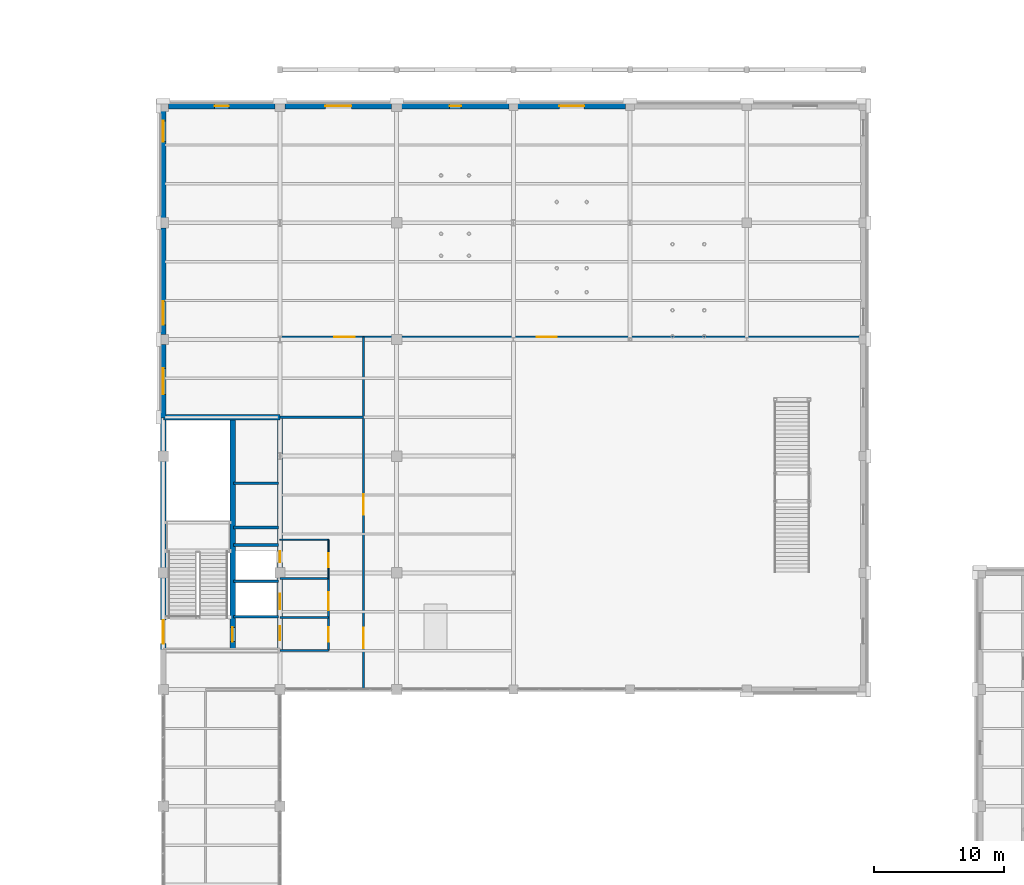
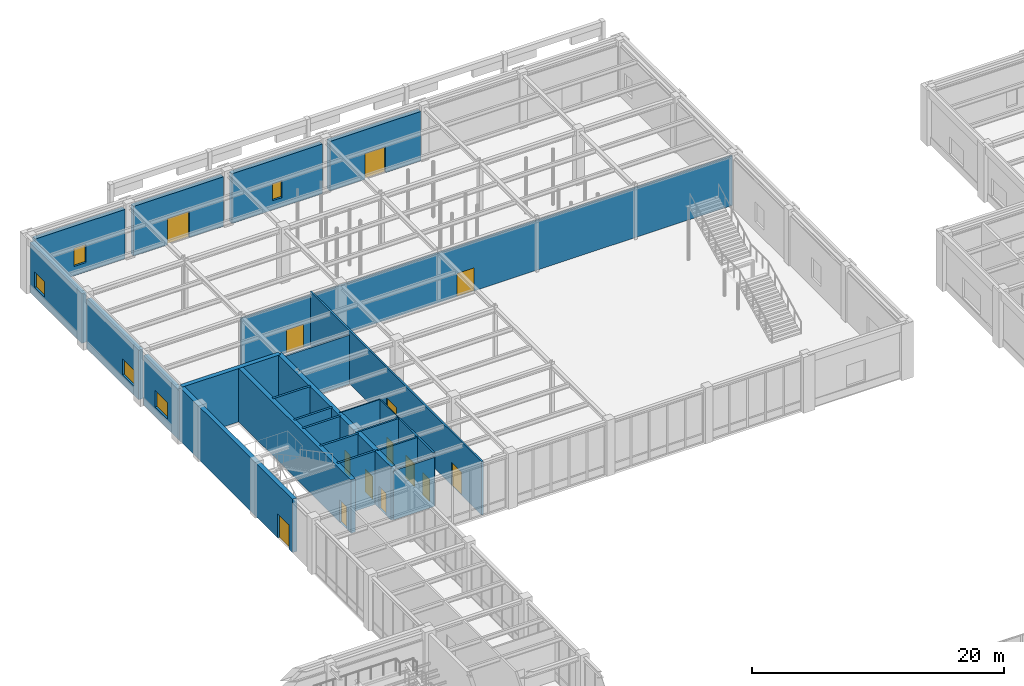
# One storey, part 67 of 77: 25 walls, 14 doors, 5 windows, 19 openings.
"""IFC4 building model written with IfcOpenShell, lengths in metres."""

from ifc_helpers import new_model, si_unit, direction, frame, frame_2d, origin, place, context, subcontext, project, spatial, rectangle, extrude, material, layer, layer_set, type_object, element, fill, save


model = new_model("IFC4")

# Units and contexts
model_context = context("Model", 3, precision=1e-05, world=origin(), true_north=direction((0.0, 1.0)))
body_context = subcontext(model_context, "Body", "Model", "MODEL_VIEW")
ifc_project = project(units=[si_unit("LENGTHUNIT", "METRE"), si_unit("AREAUNIT", "SQUARE_METRE"), si_unit("VOLUMEUNIT", "CUBIC_METRE"), si_unit("PLANEANGLEUNIT", "RADIAN"), si_unit("MASSUNIT", "GRAM", prefix="KILO")], contexts=[model_context])

# Site, building, storey
site_placement = place(None, origin())
site = spatial("IfcSite", under=ifc_project, at=site_placement, CompositionType="ELEMENT")
building_placement = place(site_placement, origin())
building = spatial("IfcBuilding", under=site, at=building_placement, Name="Lykobir Media Centre", CompositionType="ELEMENT")
storey_placement = place(building_placement, origin())
storey = spatial("IfcBuildingStorey", under=building, at=storey_placement, Name="L00", CompositionType="ELEMENT", Elevation=0.0)

# Wall, opening, window
ifc_material_1 = material(Name="Honed Travertine Stone", Category="masonry")
ifc_layer_1 = layer(ifc_material_1, 0.419921875, Name="Honed Travertine Stone")
ifc_layer_set_1 = layer_set([ifc_layer_1], Name="Honed Travertine Stone")
wall_type_1 = type_object("IfcWallType", Name="EW-TRAV-420", PredefinedType="STANDARD", material=ifc_layer_set_1)
wall_1_placement = place(storey_placement, frame((35.614990234375, 108.0, 0.0), z_axis=(0.0, 0.0, 1.0), x_axis=(-1.0, 0.0, 0.0)))
wall_1 = element("IfcWall", 1, at=wall_1_placement, inside=storey, type_object=wall_type_1, Name="Exterior wall WALL-L00-0101", PredefinedType="STANDARD", context=body_context, shape_type="SweptSolid", body=[
    extrude(rectangle(XDim=8.22998046875, YDim=0.419921875, at=frame_2d((4.114990234375, 0.0))), origin(), (0.0, 0.0, 1.0), 4.794921875),
])
opening_1_placement = place(wall_1_placement, frame((3.56494140625, 0.0, 0.89990234375)))
opening_1 = element("IfcOpeningElement", 2, at=opening_1_placement, cuts=wall_1, Name="Opening WN-1100x1750", PredefinedType="OPENING", context=body_context, shape_type="SweptSolid", body=[
    extrude(rectangle(XDim=1.10009765625, YDim=1.75, at=frame_2d((0.550048828125, 0.875))), frame((0.0, 0.219970703125, 0.0), z_axis=(0.0, -1.0, 0.0), x_axis=(1.0, 0.0, 0.0)), (0.0, 0.0, 1.0), 0.43994140625),
])
ifc_material_2 = material(Name="Low-E Laminated Triple Glazing", Category="glass")
window_type_1 = type_object("IfcWindowType", Name="WN-1100x1750", PartitioningType="SINGLE_PANEL", PredefinedType="WINDOW", material=ifc_material_2)
window_1_placement = place(opening_1_placement, origin())
window_1 = element("IfcWindow", 3, at=window_1_placement, inside=storey, type_object=window_type_1, Name="Window WIN-L00-0023", OverallHeight=1.75, OverallWidth=1.10009765625, PartitioningType="SINGLE_PANEL", PredefinedType="WINDOW", context=body_context, shape_type="SweptSolid", body=[
    extrude(rectangle(XDim=1.10009765625, YDim=1.75, at=frame_2d((0.550048828125, 0.875))), frame((0.0, 0.030029296875, 0.0), z_axis=(0.0, -1.0, 0.0), x_axis=(1.0, 0.0, 0.0)), (0.0, 0.0, 1.0), 0.06005859375),
])
fill(opening_1, window_1)

# Wall, opening, door
wall_2_placement = place(storey_placement, frame((44.614990234375, 108.0, 0.0), z_axis=(0.0, 0.0, 1.0), x_axis=(-1.0, 0.0, 0.0)))
wall_2 = element("IfcWall", 4, at=wall_2_placement, inside=storey, type_object=wall_type_1, Name="Exterior wall WALL-L00-0102", PredefinedType="STANDARD", context=body_context, shape_type="SweptSolid", body=[
    extrude(rectangle(XDim=8.22998046875, YDim=0.419921875, at=frame_2d((4.114990234375, 0.0))), origin(), (0.0, 0.0, 1.0), 4.794921875),
])
opening_2_placement = place(wall_2_placement, frame((3.114990234375, 0.0, 0.0)))
opening_2 = element("IfcOpeningElement", 5, at=opening_2_placement, cuts=wall_2, Name="Opening D-L00-E04", PredefinedType="OPENING", context=body_context, shape_type="SweptSolid", body=[
    extrude(rectangle(XDim=2.0, YDim=2.550048828125, at=frame_2d((1.0, 1.27490234375))), frame((0.0, 0.219970703125, 0.0), z_axis=(0.0, -1.0, 0.0), x_axis=(1.0, 0.0, 0.0)), (0.0, 0.0, 1.0), 0.43994140625),
])
ifc_material_3 = material(Name="Anodized Aluminium AW-6060", Category="aluminium")
door_type_1 = type_object("IfcDoorType", Name="ED-2000x2550", OperationType="NOTDEFINED", PredefinedType="DOOR", material=ifc_material_3)
door_1_placement = place(opening_2_placement, frame((2.0, 0.0, 0.0), z_axis=(0.0, 0.0, 1.0), x_axis=(-1.0, 0.0, 0.0)))
door_1 = element("IfcDoor", 6, at=door_1_placement, inside=storey, type_object=door_type_1, Name="North Avenue valley concourse entrance 1", OperationType="DOUBLE_DOOR_SINGLE_SWING", OverallHeight=2.550048828125, OverallWidth=2.0, PredefinedType="DOOR", context=body_context, shape_type="SweptSolid", body=[
    extrude(rectangle(XDim=2.0, YDim=2.550048828125, at=frame_2d((1.0, 1.27490234375))), frame((0.0, 0.02490234375, 0.0), z_axis=(0.0, -1.0, 0.0), x_axis=(1.0, 0.0, 0.0)), (0.0, 0.0, 1.0), 0.050048828125),
])
fill(opening_2, door_1)

# Wall, opening, window
wall_3_placement = place(storey_placement, frame((53.6650390625, 108.0, 0.0), z_axis=(0.0, 0.0, 1.0), x_axis=(-1.0, 0.0, 0.0)))
wall_3 = element("IfcWall", 7, at=wall_3_placement, inside=storey, type_object=wall_type_1, Name="Exterior wall WALL-L00-0103", PredefinedType="STANDARD", context=body_context, shape_type="SweptSolid", body=[
    extrude(rectangle(XDim=8.280029296875, YDim=0.419921875, at=frame_2d((4.14013671875, 0.0))), origin(), (0.0, 0.0, 1.0), 4.794921875),
])
opening_3_placement = place(wall_3_placement, frame((3.68994140625, 0.0, 0.89990234375)))
opening_3 = element("IfcOpeningElement", 8, at=opening_3_placement, cuts=wall_3, Name="Opening WN-0900x1650", PredefinedType="OPENING", context=body_context, shape_type="SweptSolid", body=[
    extrude(rectangle(XDim=0.89990234375, YDim=1.64990234375, at=frame_2d((0.449951171875, 0.824951171875))), frame((0.0, 0.219970703125, 0.0), z_axis=(0.0, -1.0, 0.0), x_axis=(1.0, 0.0, 0.0)), (0.0, 0.0, 1.0), 0.43994140625),
])
window_type_2 = type_object("IfcWindowType", Name="WN-0900x1650", PartitioningType="SINGLE_PANEL", PredefinedType="WINDOW", material=ifc_material_2)
window_2_placement = place(opening_3_placement, origin())
window_2 = element("IfcWindow", 9, at=window_2_placement, inside=storey, type_object=window_type_2, Name="Window WIN-L00-0024", OverallHeight=1.64990234375, OverallWidth=0.89990234375, PartitioningType="SINGLE_PANEL", PredefinedType="WINDOW", context=body_context, shape_type="SweptSolid", body=[
    extrude(rectangle(XDim=0.89990234375, YDim=1.64990234375, at=frame_2d((0.449951171875, 0.824951171875))), frame((0.0, 0.030029296875, 0.0), z_axis=(0.0, -1.0, 0.0), x_axis=(1.0, 0.0, 0.0)), (0.0, 0.0, 1.0), 0.06005859375),
])
fill(opening_3, window_2)

# Wall, opening, door
wall_4_placement = place(storey_placement, frame((62.6650390625, 108.0, 0.0), z_axis=(0.0, 0.0, 1.0), x_axis=(-1.0, 0.0, 0.0)))
wall_4 = element("IfcWall", 10, at=wall_4_placement, inside=storey, type_object=wall_type_1, Name="Exterior wall WALL-L00-0104", PredefinedType="STANDARD", context=body_context, shape_type="SweptSolid", body=[
    extrude(rectangle(XDim=8.330078125, YDim=0.419921875, at=frame_2d((4.1650390625, 0.0))), origin(), (0.0, 0.0, 1.0), 4.794921875),
])
opening_4_placement = place(wall_4_placement, frame((3.215087890625, 0.0, 0.0)))
opening_4 = element("IfcOpeningElement", 11, at=opening_4_placement, cuts=wall_4, Name="Opening D-L00-E05", PredefinedType="OPENING", context=body_context, shape_type="SweptSolid", body=[
    extrude(rectangle(XDim=1.89990234375, YDim=2.5, at=frame_2d((0.949951171875, 1.25))), frame((0.0, 0.219970703125, 0.0), z_axis=(0.0, -1.0, 0.0), x_axis=(1.0, 0.0, 0.0)), (0.0, 0.0, 1.0), 0.43994140625),
])
door_type_2 = type_object("IfcDoorType", Name="ED-1900x2500", OperationType="NOTDEFINED", PredefinedType="DOOR", material=ifc_material_3)
door_2_placement = place(opening_4_placement, frame((1.89990234375, 0.0, 0.0), z_axis=(0.0, 0.0, 1.0), x_axis=(-1.0, 0.0, 0.0)))
door_2 = element("IfcDoor", 12, at=door_2_placement, inside=storey, type_object=door_type_2, Name="North Avenue valley concourse entrance 2", OperationType="DOUBLE_DOOR_SINGLE_SWING", OverallHeight=2.5, OverallWidth=1.89990234375, PredefinedType="DOOR", context=body_context, shape_type="SweptSolid", body=[
    extrude(rectangle(XDim=1.89990234375, YDim=2.5, at=frame_2d((0.949951171875, 1.25))), frame((0.0, 0.02490234375, 0.0), z_axis=(0.0, -1.0, 0.0), x_axis=(1.0, 0.0, 0.0)), (0.0, 0.0, 1.0), 0.050048828125),
])
fill(opening_4, door_2)

# Wall, opening, window
wall_5_placement = place(storey_placement, frame((27.0, 89.614990234375, 0.0), z_axis=(0.0, 0.0, 1.0), x_axis=(0.0, -1.0, 0.0)))
wall_5 = element("IfcWall", 13, at=wall_5_placement, inside=storey, type_object=wall_type_1, Name="Exterior wall WALL-L00-0108", PredefinedType="STANDARD", context=body_context, shape_type="SweptSolid", body=[
    extrude(rectangle(XDim=5.68994140625, YDim=0.419921875, at=frame_2d((2.844970703125, 0.0))), origin(), (0.0, 0.0, 1.0), 4.794921875),
])
opening_5_placement = place(wall_5_placement, frame((1.844970703125, 0.0, 0.89990234375)))
opening_5 = element("IfcOpeningElement", 14, at=opening_5_placement, cuts=wall_5, Name="Opening WN-2000x1600", PredefinedType="OPENING", context=body_context, shape_type="SweptSolid", body=[
    extrude(rectangle(XDim=2.0, YDim=1.60009765625, at=frame_2d((1.0, 0.800048828125))), frame((0.0, 0.219970703125, 0.0), z_axis=(0.0, -1.0, 0.0), x_axis=(1.0, 0.0, 0.0)), (0.0, 0.0, 1.0), 0.43994140625),
])
window_type_3 = type_object("IfcWindowType", Name="WN-2000x1600", PartitioningType="SINGLE_PANEL", PredefinedType="WINDOW", material=ifc_material_2)
window_3_placement = place(opening_5_placement, origin())
window_3 = element("IfcWindow", 15, at=window_3_placement, inside=storey, type_object=window_type_3, Name="Window WIN-L00-0025", OverallHeight=1.60009765625, OverallWidth=2.0, PartitioningType="SINGLE_PANEL", PredefinedType="WINDOW", context=body_context, shape_type="SweptSolid", body=[
    extrude(rectangle(XDim=2.0, YDim=1.60009765625, at=frame_2d((1.0, 0.800048828125))), frame((0.0, 0.030029296875, 0.0), z_axis=(0.0, -1.0, 0.0), x_axis=(1.0, 0.0, 0.0)), (0.0, 0.0, 1.0), 0.06005859375),
])
fill(opening_5, window_3)

wall_6_placement = place(storey_placement, frame((27.0, 98.614990234375, 0.0), z_axis=(0.0, 0.0, 1.0), x_axis=(0.0, -1.0, 0.0)))
wall_6 = element("IfcWall", 16, at=wall_6_placement, inside=storey, type_object=wall_type_1, Name="Exterior wall WALL-L00-0109", PredefinedType="STANDARD", context=body_context, shape_type="SweptSolid", body=[
    extrude(rectangle(XDim=8.22998046875, YDim=0.419921875, at=frame_2d((4.114990234375, 0.0))), origin(), (0.0, 0.0, 1.0), 4.794921875),
])
opening_6_placement = place(wall_6_placement, frame((5.679931640625, 0.0, 0.89990234375)))
opening_6 = element("IfcOpeningElement", 17, at=opening_6_placement, cuts=wall_6, Name="Opening WN-1800x1550", PredefinedType="OPENING", context=body_context, shape_type="SweptSolid", body=[
    extrude(rectangle(XDim=1.800048828125, YDim=1.550048828125, at=frame_2d((0.89990234375, 0.77490234375))), frame((0.0, 0.219970703125, 0.0), z_axis=(0.0, -1.0, 0.0), x_axis=(1.0, 0.0, 0.0)), (0.0, 0.0, 1.0), 0.43994140625),
])
window_type_4 = type_object("IfcWindowType", Name="WN-1800x1550", PartitioningType="SINGLE_PANEL", PredefinedType="WINDOW", material=ifc_material_2)
window_4_placement = place(opening_6_placement, origin())
window_4 = element("IfcWindow", 18, at=window_4_placement, inside=storey, type_object=window_type_4, Name="Window WIN-L00-0026", OverallHeight=1.550048828125, OverallWidth=1.800048828125, PartitioningType="SINGLE_PANEL", PredefinedType="WINDOW", context=body_context, shape_type="SweptSolid", body=[
    extrude(rectangle(XDim=1.800048828125, YDim=1.550048828125, at=frame_2d((0.89990234375, 0.77490234375))), frame((0.0, 0.030029296875, 0.0), z_axis=(0.0, -1.0, 0.0), x_axis=(1.0, 0.0, 0.0)), (0.0, 0.0, 1.0), 0.06005859375),
])
fill(opening_6, window_4)

wall_7_placement = place(storey_placement, frame((27.0, 107.614990234375, 0.0), z_axis=(0.0, 0.0, 1.0), x_axis=(0.0, -1.0, 0.0)))
wall_7 = element("IfcWall", 19, at=wall_7_placement, inside=storey, type_object=wall_type_1, Name="Exterior wall WALL-L00-0110", PredefinedType="STANDARD", context=body_context, shape_type="SweptSolid", body=[
    extrude(rectangle(XDim=8.22998046875, YDim=0.419921875, at=frame_2d((4.114990234375, 0.0))), origin(), (0.0, 0.0, 1.0), 4.794921875),
])
opening_7_placement = place(wall_7_placement, frame((0.75, 0.0, 0.89990234375)))
opening_7 = element("IfcOpeningElement", 20, at=opening_7_placement, cuts=wall_7, Name="Opening WN-1600x1500", PredefinedType="OPENING", context=body_context, shape_type="SweptSolid", body=[
    extrude(rectangle(XDim=1.60009765625, YDim=1.5, at=frame_2d((0.800048828125, 0.75))), frame((0.0, 0.219970703125, 0.0), z_axis=(0.0, -1.0, 0.0), x_axis=(1.0, 0.0, 0.0)), (0.0, 0.0, 1.0), 0.43994140625),
])
window_type_5 = type_object("IfcWindowType", Name="WN-1600x1500", PartitioningType="SINGLE_PANEL", PredefinedType="WINDOW", material=ifc_material_2)
window_5_placement = place(opening_7_placement, origin())
window_5 = element("IfcWindow", 21, at=window_5_placement, inside=storey, type_object=window_type_5, Name="Window WIN-L00-0027", OverallHeight=1.5, OverallWidth=1.60009765625, PartitioningType="SINGLE_PANEL", PredefinedType="WINDOW", context=body_context, shape_type="SweptSolid", body=[
    extrude(rectangle(XDim=1.60009765625, YDim=1.5, at=frame_2d((0.800048828125, 0.75))), frame((0.0, 0.030029296875, 0.0), z_axis=(0.0, -1.0, 0.0), x_axis=(1.0, 0.0, 0.0)), (0.0, 0.0, 1.0), 0.06005859375),
])
fill(opening_7, window_5)

# Wall, openings, doors
ifc_material_4 = material(Name="Acoustic Gypsum Board", Category="gypsum")
ifc_layer_2 = layer(ifc_material_4, 0.14501953125, Name="Acoustic Gypsum Board")
ifc_layer_set_2 = layer_set([ifc_layer_2], Name="Acoustic Gypsum Board")
wall_type_2 = type_object("IfcWallType", Name="IW-COR-145", PredefinedType="PARTITIONING", material=ifc_layer_set_2)
wall_8_placement = place(storey_placement, frame((36.0, 90.199951171875, 0.0), z_axis=(0.0, 0.0, 1.0), x_axis=(1.0, 0.0, 0.0)))
wall_8 = element("IfcWall", 22, at=wall_8_placement, inside=storey, type_object=wall_type_2, Name="Wall IWALL-L00-0666", PredefinedType="PARTITIONING", context=body_context, shape_type="SweptSolid", body=[
    extrude(rectangle(XDim=45.0, YDim=0.14501953125, at=frame_2d((22.5, 0.0))), origin(), (0.0, 0.0, 1.0), 4.794921875),
])
opening_8_placement = place(wall_8_placement, frame((4.199951171875, 0.0, 0.0)))
opening_8 = element("IfcOpeningElement", 23, at=opening_8_placement, cuts=wall_8, Name="Opening D-L00-LIB1", PredefinedType="OPENING", context=body_context, shape_type="SweptSolid", body=[
    extrude(rectangle(XDim=1.550048828125, YDim=2.239990234375, at=frame_2d((0.77490234375, 1.1201171875))), frame((0.0, 0.08251953125, 0.0), z_axis=(0.0, -1.0, 0.0), x_axis=(1.0, 0.0, 0.0)), (0.0, 0.0, 1.0), 0.1650390625),
])
opening_9_placement = place(wall_8_placement, frame((19.800048828125, 0.0, 0.0)))
opening_9 = element("IfcOpeningElement", 24, at=opening_9_placement, cuts=wall_8, Name="Opening D-L00-LIB2", PredefinedType="OPENING", context=body_context, shape_type="SweptSolid", body=[
    extrude(rectangle(XDim=1.550048828125, YDim=2.239990234375, at=frame_2d((0.77490234375, 1.1201171875))), frame((0.0, 0.08251953125, 0.0), z_axis=(0.0, -1.0, 0.0), x_axis=(1.0, 0.0, 0.0)), (0.0, 0.0, 1.0), 0.1650390625),
])
ifc_material_5 = material(Name="Acoustic Timber Panelling", Category="wood")
door_type_3 = type_object("IfcDoorType", Name="FD-1550x2240", OperationType="NOTDEFINED", PredefinedType="DOOR", material=ifc_material_5)
door_3_placement = place(opening_8_placement, origin())
door_3 = element("IfcDoor", 25, at=door_3_placement, inside=storey, type_object=door_type_3, Name="Door D-L00-LIB1", OperationType="DOUBLE_DOOR_SINGLE_SWING", OverallHeight=2.239990234375, OverallWidth=1.550048828125, PredefinedType="DOOR", context=body_context, shape_type="SweptSolid", body=[
    extrude(rectangle(XDim=1.550048828125, YDim=2.239990234375, at=frame_2d((0.77490234375, 1.1201171875))), frame((0.0, 0.02490234375, 0.0), z_axis=(0.0, -1.0, 0.0), x_axis=(1.0, 0.0, 0.0)), (0.0, 0.0, 1.0), 0.050048828125),
])
fill(opening_8, door_3)
door_4_placement = place(opening_9_placement, origin())
door_4 = element("IfcDoor", 26, at=door_4_placement, inside=storey, type_object=door_type_3, Name="Door D-L00-LIB2", OperationType="DOUBLE_DOOR_SINGLE_SWING", OverallHeight=2.239990234375, OverallWidth=1.550048828125, PredefinedType="DOOR", context=body_context, shape_type="SweptSolid", body=[
    extrude(rectangle(XDim=1.550048828125, YDim=2.239990234375, at=frame_2d((0.77490234375, 1.1201171875))), frame((0.0, 0.02490234375, 0.0), z_axis=(0.0, -1.0, 0.0), x_axis=(1.0, 0.0, 0.0)), (0.0, 0.0, 1.0), 0.050048828125),
])
fill(opening_9, door_4)

ifc_layer_3 = layer(ifc_material_4, 0.159912109375, Name="Acoustic Gypsum Board")
ifc_layer_set_3 = layer_set([ifc_layer_3], Name="Acoustic Gypsum Board")
wall_type_3 = type_object("IfcWallType", Name="IW-COR-160", PredefinedType="PARTITIONING", material=ifc_layer_set_3)
wall_9_placement = place(storey_placement, frame((39.75, 66.0, 0.0), z_axis=(0.0, 0.0, 1.0), x_axis=(0.0, 1.0, 0.0)))
wall_9 = element("IfcWall", 27, at=wall_9_placement, inside=storey, type_object=wall_type_3, Name="Wall IWALL-L00-0369", PredefinedType="PARTITIONING", context=body_context, shape_type="SweptSolid", body=[
    extrude(rectangle(XDim=5.550048828125, YDim=0.159912109375, at=frame_2d((2.77490234375, 0.0))), origin(), (0.0, 0.0, 1.0), 5.159912109375),
])
opening_10_placement = place(wall_9_placement, frame((0.699951171875, 0.0, 0.0)))
opening_10 = element("IfcOpeningElement", 28, at=opening_10_placement, cuts=wall_9, Name="Opening D-L00-C3LV", PredefinedType="OPENING", context=body_context, shape_type="SweptSolid", body=[
    extrude(rectangle(XDim=1.10009765625, YDim=2.159912109375, at=frame_2d((0.550048828125, 1.080078125))), frame((0.0, 0.08984375, 0.0), z_axis=(0.0, -1.0, 0.0), x_axis=(1.0, 0.0, 0.0)), (0.0, 0.0, 1.0), 0.179931640625),
])
opening_11_placement = place(wall_9_placement, frame((3.10009765625, 0.0, 0.0)))
opening_11 = element("IfcOpeningElement", 29, at=opening_11_placement, cuts=wall_9, Name="Opening D-L00-C3PL", PredefinedType="OPENING", context=body_context, shape_type="SweptSolid", body=[
    extrude(rectangle(XDim=1.39990234375, YDim=2.199951171875, at=frame_2d((0.699951171875, 1.10009765625))), frame((0.0, 0.08984375, 0.0), z_axis=(0.0, -1.0, 0.0), x_axis=(1.0, 0.0, 0.0)), (0.0, 0.0, 1.0), 0.179931640625),
])
door_type_4 = type_object("IfcDoorType", Name="FD-1100x2160", OperationType="NOTDEFINED", PredefinedType="DOOR", material=ifc_material_5)
door_5_placement = place(opening_10_placement, origin())
door_5 = element("IfcDoor", 30, at=door_5_placement, inside=storey, type_object=door_type_4, Name="Door D-L00-C3LV", OperationType="SINGLE_SWING_RIGHT", OverallHeight=2.159912109375, OverallWidth=1.10009765625, PredefinedType="DOOR", context=body_context, shape_type="SweptSolid", body=[
    extrude(rectangle(XDim=1.10009765625, YDim=2.159912109375, at=frame_2d((0.550048828125, 1.080078125))), frame((0.0, 0.02490234375, 0.0), z_axis=(0.0, -1.0, 0.0), x_axis=(1.0, 0.0, 0.0)), (0.0, 0.0, 1.0), 0.050048828125),
])
fill(opening_10, door_5)
door_type_5 = type_object("IfcDoorType", Name="FD-1400x2200", OperationType="NOTDEFINED", PredefinedType="DOOR", material=ifc_material_5)
door_6_placement = place(opening_11_placement, origin())
door_6 = element("IfcDoor", 31, at=door_6_placement, inside=storey, type_object=door_type_5, Name="Door D-L00-C3PL", OperationType="DOUBLE_DOOR_SINGLE_SWING", OverallHeight=2.199951171875, OverallWidth=1.39990234375, PredefinedType="DOOR", context=body_context, shape_type="SweptSolid", body=[
    extrude(rectangle(XDim=1.39990234375, YDim=2.199951171875, at=frame_2d((0.699951171875, 1.10009765625))), frame((0.0, 0.02490234375, 0.0), z_axis=(0.0, -1.0, 0.0), x_axis=(1.0, 0.0, 0.0)), (0.0, 0.0, 1.0), 0.050048828125),
])
fill(opening_11, door_6)

# Walls
wall_10_placement = place(storey_placement, frame((36.0, 66.0, 0.0), z_axis=(0.0, 0.0, 1.0), x_axis=(1.0, 0.0, 0.0)))
element("IfcWall", 32, at=wall_10_placement, inside=storey, type_object=wall_type_3, Name="Wall IWALL-L00-0370", PredefinedType="PARTITIONING", context=body_context, shape_type="SweptSolid", body=[
    extrude(rectangle(XDim=3.75, YDim=0.159912109375, at=frame_2d((1.875, 0.0))), origin(), (0.0, 0.0, 1.0), 4.7451171875),
])
for number, where, z_axis, x_axis, name in (
    (33, (36.0, 68.550048828125, 0.0), (0.0, 0.0, 1.0), (1.0, 0.0, 0.0), "Wall IWALL-L00-0371"),
    (34, (36.0, 71.550048828125, 0.0), (0.0, 0.0, 1.0), (1.0, 0.0, 0.0), "Wall IWALL-L00-0372"),
):
    element("IfcWall", number, at=place(storey_placement, frame(where, z_axis=z_axis, x_axis=x_axis)), inside=storey, type_object=wall_type_3, Name=name, PredefinedType="PARTITIONING", context=body_context, shape_type="SweptSolid", body=[
        extrude(rectangle(XDim=3.75, YDim=0.159912109375, at=frame_2d((1.875, 0.0))), origin(), (0.0, 0.0, 1.0), 5.159912109375),
    ])

# Wall, openings, doors
wall_11_placement = place(storey_placement, frame((42.449951171875, 63.0, 0.0), z_axis=(0.0, 0.0, 1.0), x_axis=(0.0, 1.0, 0.0)))
wall_11 = element("IfcWall", 35, at=wall_11_placement, inside=storey, type_object=wall_type_3, Name="Wall IWALL-L00-0664", PredefinedType="PARTITIONING", context=body_context, shape_type="SweptSolid", body=[
    extrude(rectangle(XDim=27.199951171875, YDim=0.159912109375, at=frame_2d((13.60009765625, 0.0))), origin(), (0.0, 0.0, 1.0), 5.159912109375),
])
opening_12_placement = place(wall_11_placement, frame((3.199951171875, 0.0, 0.0)))
opening_12 = element("IfcOpeningElement", 36, at=opening_12_placement, cuts=wall_11, Name="Opening D-L00-VAL1", PredefinedType="OPENING", context=body_context, shape_type="SweptSolid", body=[
    extrude(rectangle(XDim=1.550048828125, YDim=2.239990234375, at=frame_2d((0.77490234375, 1.1201171875))), frame((0.0, 0.08984375, 0.0), z_axis=(0.0, -1.0, 0.0), x_axis=(1.0, 0.0, 0.0)), (0.0, 0.0, 1.0), 0.179931640625),
])
opening_13_placement = place(wall_11_placement, frame((13.5, 0.0, 0.0)))
opening_13 = element("IfcOpeningElement", 37, at=opening_13_placement, cuts=wall_11, Name="Opening D-L00-VAL2", PredefinedType="OPENING", context=body_context, shape_type="SweptSolid", body=[
    extrude(rectangle(XDim=1.550048828125, YDim=2.239990234375, at=frame_2d((0.77490234375, 1.1201171875))), frame((0.0, 0.08984375, 0.0), z_axis=(0.0, -1.0, 0.0), x_axis=(1.0, 0.0, 0.0)), (0.0, 0.0, 1.0), 0.179931640625),
])
door_7_placement = place(opening_12_placement, origin())
door_7 = element("IfcDoor", 38, at=door_7_placement, inside=storey, type_object=door_type_3, Name="Door D-L00-VAL1", OperationType="DOUBLE_DOOR_SINGLE_SWING", OverallHeight=2.239990234375, OverallWidth=1.550048828125, PredefinedType="DOOR", context=body_context, shape_type="SweptSolid", body=[
    extrude(rectangle(XDim=1.550048828125, YDim=2.239990234375, at=frame_2d((0.77490234375, 1.1201171875))), frame((0.0, 0.02490234375, 0.0), z_axis=(0.0, -1.0, 0.0), x_axis=(1.0, 0.0, 0.0)), (0.0, 0.0, 1.0), 0.050048828125),
])
fill(opening_12, door_7)
door_8_placement = place(opening_13_placement, origin())
door_8 = element("IfcDoor", 39, at=door_8_placement, inside=storey, type_object=door_type_3, Name="Door D-L00-VAL2", OperationType="DOUBLE_DOOR_SINGLE_SWING", OverallHeight=2.239990234375, OverallWidth=1.550048828125, PredefinedType="DOOR", context=body_context, shape_type="SweptSolid", body=[
    extrude(rectangle(XDim=1.550048828125, YDim=2.239990234375, at=frame_2d((0.77490234375, 1.1201171875))), frame((0.0, 0.02490234375, 0.0), z_axis=(0.0, -1.0, 0.0), x_axis=(1.0, 0.0, 0.0)), (0.0, 0.0, 1.0), 0.050048828125),
])
fill(opening_13, door_8)

# Walls
wall_12_placement = place(storey_placement, frame((36.0, 84.0, 0.0), z_axis=(0.0, 0.0, 1.0), x_axis=(1.0, 0.0, 0.0)))
element("IfcWall", 40, at=wall_12_placement, inside=storey, type_object=wall_type_3, Name="Wall IWALL-L00-0665", PredefinedType="PARTITIONING", context=body_context, shape_type="SweptSolid", body=[
    extrude(rectangle(XDim=6.449951171875, YDim=0.159912109375, at=frame_2d((3.22509765625, 0.0))), origin(), (0.0, 0.0, 1.0), 4.7451171875),
])
ifc_material_6 = material(Name="Concrete C30/37", Category="concrete")
ifc_layer_4 = layer(ifc_material_6, 0.199951171875, Name="Concrete C30/37")
ifc_layer_set_4 = layer_set([ifc_layer_4], Name="Concrete C30/37")
wall_type_4 = type_object("IfcWallType", Name="IW-SHAFT-200", PredefinedType="PARTITIONING", material=ifc_layer_set_4)
for number, where, z_axis, x_axis, name in (
    (41, (32.39990234375, 68.60009765625, 0.0), (0.0, 0.0, 1.0), (1.0, 0.0, 0.0), "Wall IWALL-L00-0364"),
    (42, (32.39990234375, 71.35009765625, 0.0), (0.0, 0.0, 1.0), (1.0, 0.0, 0.0), "Wall IWALL-L00-0365"),
    (43, (32.39990234375, 74.14990234375, 0.0), (0.0, 0.0, 1.0), (1.0, 0.0, 0.0), "Wall IWALL-L00-0366"),
    (44, (32.39990234375, 75.5, 0.0), (0.0, 0.0, 1.0), (1.0, 0.0, 0.0), "Wall IWALL-L00-0367"),
    (45, (32.39990234375, 78.89990234375, 0.0), (0.0, 0.0, 1.0), (1.0, 0.0, 0.0), "Wall IWALL-L00-0368"),
):
    element("IfcWall", number, at=place(storey_placement, frame(where, z_axis=z_axis, x_axis=x_axis)), inside=storey, type_object=wall_type_4, Name=name, PredefinedType="PARTITIONING", context=body_context, shape_type="SweptSolid", body=[
        extrude(rectangle(XDim=3.5, YDim=0.199951171875, at=frame_2d((1.75, 0.0))), origin(), (0.0, 0.0, 1.0), 5.159912109375),
    ])

# Wall, opening, door
ifc_layer_5 = layer(ifc_material_4, 0.094970703125, Name="Acoustic Gypsum Board")
ifc_layer_set_5 = layer_set([ifc_layer_5], Name="Acoustic Gypsum Board")
wall_type_5 = type_object("IfcWallType", Name="IW-WC-095", PredefinedType="PARTITIONING", material=ifc_layer_set_5)
wall_13_placement = place(storey_placement, frame((39.75, 71.550048828125, 0.0), z_axis=(0.0, 0.0, 1.0), x_axis=(0.0, 1.0, 0.0)))
wall_13 = element("IfcWall", 46, at=wall_13_placement, inside=storey, type_object=wall_type_5, Name="Wall IWALL-L00-0373", PredefinedType="PARTITIONING", context=body_context, shape_type="SweptSolid", body=[
    extrude(rectangle(XDim=3.0, YDim=0.094970703125, at=frame_2d((1.5, 0.0))), origin(), (0.0, 0.0, 1.0), 5.159912109375),
])
opening_14_placement = place(wall_13_placement, frame((0.89990234375, 0.0, 0.0)))
opening_14 = element("IfcOpeningElement", 47, at=opening_14_placement, cuts=wall_13, Name="Opening D-L00-WCA3", PredefinedType="OPENING", context=body_context, shape_type="SweptSolid", body=[
    extrude(rectangle(XDim=1.050048828125, YDim=2.1298828125, at=frame_2d((0.52490234375, 1.06494140625))), frame((0.0, 0.057373046875, 0.0), z_axis=(0.0, -1.0, 0.0), x_axis=(1.0, 0.0, 0.0)), (0.0, 0.0, 1.0), 0.114990234375),
])
door_type_6 = type_object("IfcDoorType", Name="ID-1050x2130", OperationType="NOTDEFINED", PredefinedType="DOOR", material=ifc_material_5)
door_9_placement = place(opening_14_placement, origin())
door_9 = element("IfcDoor", 48, at=door_9_placement, inside=storey, type_object=door_type_6, Name="Door D-L00-WCA3", OperationType="SINGLE_SWING_LEFT", OverallHeight=2.1298828125, OverallWidth=1.050048828125, PredefinedType="DOOR", context=body_context, shape_type="SweptSolid", body=[
    extrude(rectangle(XDim=1.050048828125, YDim=2.1298828125, at=frame_2d((0.52490234375, 1.06494140625))), frame((0.0, 0.02490234375, 0.0), z_axis=(0.0, -1.0, 0.0), x_axis=(1.0, 0.0, 0.0)), (0.0, 0.0, 1.0), 0.050048828125),
])
fill(opening_14, door_9)

# Wall
wall_14_placement = place(storey_placement, frame((36.0, 74.550048828125, 0.0), z_axis=(0.0, 0.0, 1.0), x_axis=(1.0, 0.0, 0.0)))
element("IfcWall", 49, at=wall_14_placement, inside=storey, type_object=wall_type_5, Name="Wall IWALL-L00-0374", PredefinedType="PARTITIONING", context=body_context, shape_type="SweptSolid", body=[
    extrude(rectangle(XDim=3.75, YDim=0.094970703125, at=frame_2d((1.875, 0.0))), origin(), (0.0, 0.0, 1.0), 5.159912109375),
])

# Wall, openings, doors
ifc_material_7 = material(Name="Concrete C40/50", Category="concrete")
ifc_layer_6 = layer(ifc_material_7, 0.39990234375, Name="Concrete C40/50")
ifc_layer_set_6 = layer_set([ifc_layer_6], Name="Concrete C40/50")
wall_type_6 = type_object("IfcWallType", Name="SW-CORE-400", PredefinedType="SHEAR", material=ifc_layer_set_6)
wall_15_placement = place(storey_placement, frame((36.0, 66.0, 0.0), z_axis=(0.0, 0.0, 1.0), x_axis=(0.0, 1.0, 0.0)))
wall_15 = element("IfcWall", 50, at=wall_15_placement, inside=storey, type_object=wall_type_6, Name="Wall IWALL-L00-0360", PredefinedType="SHEAR", context=body_context, shape_type="SweptSolid", body=[
    extrude(rectangle(XDim=18.0, YDim=0.39990234375, at=frame_2d((9.0, 0.0))), origin(), (0.0, 0.0, 1.0), 5.159912109375),
])
opening_15_placement = place(wall_15_placement, frame((0.800048828125, 0.0, 0.0)))
opening_15 = element("IfcOpeningElement", 51, at=opening_15_placement, cuts=wall_15, Name="Opening D-L00-C3VB", PredefinedType="OPENING", context=body_context, shape_type="SweptSolid", body=[
    extrude(rectangle(XDim=1.10009765625, YDim=2.159912109375, at=frame_2d((0.550048828125, 1.080078125))), frame((0.0, 0.2099609375, 0.0), z_axis=(0.0, -1.0, 0.0), x_axis=(1.0, 0.0, 0.0)), (0.0, 0.0, 1.0), 0.419921875),
])
opening_16_placement = place(wall_15_placement, frame((3.199951171875, 0.0, 0.0)))
opening_16 = element("IfcOpeningElement", 52, at=opening_16_placement, cuts=wall_15, Name="Opening LD-L00-PL-3", PredefinedType="OPENING", context=body_context, shape_type="SweptSolid", body=[
    extrude(rectangle(XDim=1.199951171875, YDim=2.199951171875, at=frame_2d((0.60009765625, 1.10009765625))), frame((0.0, 0.2099609375, 0.0), z_axis=(0.0, -1.0, 0.0), x_axis=(1.0, 0.0, 0.0)), (0.0, 0.0, 1.0), 0.419921875),
])
opening_17_placement = place(wall_15_placement, frame((6.800048828125, 0.0, 0.0)))
opening_17 = element("IfcOpeningElement", 53, at=opening_17_placement, cuts=wall_15, Name="Opening D-L00-C3RS", PredefinedType="OPENING", context=body_context, shape_type="SweptSolid", body=[
    extrude(rectangle(XDim=0.85009765625, YDim=2.10009765625, at=frame_2d((0.425048828125, 1.050048828125))), frame((0.0, 0.2099609375, 0.0), z_axis=(0.0, -1.0, 0.0), x_axis=(1.0, 0.0, 0.0)), (0.0, 0.0, 1.0), 0.419921875),
])
door_type_7 = type_object("IfcDoorType", Name="FD-0850x2100", OperationType="NOTDEFINED", PredefinedType="DOOR", material=ifc_material_3)
door_10_placement = place(opening_17_placement, origin())
door_10 = element("IfcDoor", 54, at=door_10_placement, inside=storey, type_object=door_type_7, Name="Riser access door C3 L00", OperationType="SINGLE_SWING_LEFT", OverallHeight=2.10009765625, OverallWidth=0.85009765625, PredefinedType="DOOR", context=body_context, shape_type="SweptSolid", body=[
    extrude(rectangle(XDim=0.85009765625, YDim=2.10009765625, at=frame_2d((0.425048828125, 1.050048828125))), frame((0.0, 0.02490234375, 0.0), z_axis=(0.0, -1.0, 0.0), x_axis=(1.0, 0.0, 0.0)), (0.0, 0.0, 1.0), 0.050048828125),
])
fill(opening_17, door_10)
door_11_placement = place(opening_15_placement, origin())
door_11 = element("IfcDoor", 55, at=door_11_placement, inside=storey, type_object=door_type_4, Name="Door D-L00-C3VB", OperationType="SINGLE_SWING_RIGHT", OverallHeight=2.159912109375, OverallWidth=1.10009765625, PredefinedType="DOOR", context=body_context, shape_type="SweptSolid", body=[
    extrude(rectangle(XDim=1.10009765625, YDim=2.159912109375, at=frame_2d((0.550048828125, 1.080078125))), frame((0.0, 0.02490234375, 0.0), z_axis=(0.0, -1.0, 0.0), x_axis=(1.0, 0.0, 0.0)), (0.0, 0.0, 1.0), 0.050048828125),
])
fill(opening_15, door_11)
door_type_8 = type_object("IfcDoorType", Name="LD-1200x2200", OperationType="NOTDEFINED", PredefinedType="DOOR", material=ifc_material_3)
door_12_placement = place(opening_16_placement, origin())
door_12 = element("IfcDoor", 56, at=door_12_placement, inside=storey, type_object=door_type_8, Name="Lift landing door PL-3 L00", OperationType="SLIDING_TO_LEFT", OverallHeight=2.199951171875, OverallWidth=1.199951171875, PredefinedType="DOOR", context=body_context, shape_type="SweptSolid", body=[
    extrude(rectangle(XDim=1.199951171875, YDim=2.199951171875, at=frame_2d((0.60009765625, 1.10009765625))), frame((0.0, 0.02490234375, 0.0), z_axis=(0.0, -1.0, 0.0), x_axis=(1.0, 0.0, 0.0)), (0.0, 0.0, 1.0), 0.050048828125),
])
fill(opening_16, door_12)

# Wall, opening, door
wall_16_placement = place(storey_placement, frame((32.35009765625, 66.0, 0.0), z_axis=(0.0, 0.0, 1.0), x_axis=(0.0, 1.0, 0.0)))
wall_16 = element("IfcWall", 57, at=wall_16_placement, inside=storey, type_object=wall_type_6, Name="Wall IWALL-L00-0363", PredefinedType="SHEAR", context=body_context, shape_type="SweptSolid", body=[
    extrude(rectangle(XDim=18.0, YDim=0.39990234375, at=frame_2d((9.0, 0.0))), origin(), (0.0, 0.0, 1.0), 5.159912109375),
])
opening_18_placement = place(wall_16_placement, frame((0.699951171875, 0.0, 0.0)))
opening_18 = element("IfcOpeningElement", 58, at=opening_18_placement, cuts=wall_16, Name="Opening D-L00-C3ST", PredefinedType="OPENING", context=body_context, shape_type="SweptSolid", body=[
    extrude(rectangle(XDim=1.10009765625, YDim=2.159912109375, at=frame_2d((0.550048828125, 1.080078125))), frame((0.0, 0.2099609375, 0.0), z_axis=(0.0, -1.0, 0.0), x_axis=(1.0, 0.0, 0.0)), (0.0, 0.0, 1.0), 0.419921875),
])
door_13_placement = place(opening_18_placement, frame((1.10009765625, 0.0, 0.0), z_axis=(0.0, 0.0, 1.0), x_axis=(-1.0, 0.0, 0.0)))
door_13 = element("IfcDoor", 59, at=door_13_placement, inside=storey, type_object=door_type_4, Name="L00 ST-3 stairwell fire door", OperationType="SINGLE_SWING_LEFT", OverallHeight=2.159912109375, OverallWidth=1.10009765625, PredefinedType="DOOR", context=body_context, shape_type="SweptSolid", body=[
    extrude(rectangle(XDim=1.10009765625, YDim=2.159912109375, at=frame_2d((0.550048828125, 1.080078125))), frame((0.0, 0.02490234375, 0.0), z_axis=(0.0, -1.0, 0.0), x_axis=(1.0, 0.0, 0.0)), (0.0, 0.0, 1.0), 0.050048828125),
])
fill(opening_18, door_13)

# Wall
ifc_layer_7 = layer(ifc_material_7, 0.39990234375, Name="Concrete C40/50")
ifc_layer_set_7 = layer_set([ifc_layer_7], Name="Concrete C40/50")
wall_type_7 = type_object("IfcWallType", Name="SW-CORE-400-E", PredefinedType="SHEAR", material=ifc_layer_set_7)
wall_17_placement = place(storey_placement, frame((36.0, 84.0, 0.0), z_axis=(0.0, 0.0, 1.0), x_axis=(-1.0, 0.0, 0.0)))
element("IfcWall", 60, at=wall_17_placement, inside=storey, type_object=wall_type_7, Name="Wall IWALL-L00-0361", PredefinedType="SHEAR", context=body_context, shape_type="SweptSolid", body=[
    extrude(rectangle(XDim=9.0, YDim=0.39990234375, at=frame_2d((4.5, 0.0))), origin(), (0.0, 0.0, 1.0), 5.159912109375),
])

# Wall, opening, door
wall_18_placement = place(storey_placement, frame((27.0, 84.0, 0.0), z_axis=(0.0, 0.0, 1.0), x_axis=(0.0, -1.0, 0.0)))
wall_18 = element("IfcWall", 61, at=wall_18_placement, inside=storey, type_object=wall_type_7, Name="Wall IWALL-L00-0362", PredefinedType="SHEAR", context=body_context, shape_type="SweptSolid", body=[
    extrude(rectangle(XDim=18.0, YDim=0.39990234375, at=frame_2d((9.0, 0.0))), origin(), (0.0, 0.0, 1.0), 5.159912109375),
])
opening_19_placement = place(wall_18_placement, frame((15.64990234375, 0.0, 0.0)))
opening_19 = element("IfcOpeningElement", 62, at=opening_19_placement, cuts=wall_18, Name="Opening D-L00-SD3", PredefinedType="OPENING", context=body_context, shape_type="SweptSolid", body=[
    extrude(rectangle(XDim=1.800048828125, YDim=2.35009765625, at=frame_2d((0.89990234375, 1.175048828125))), frame((0.0, 0.2099609375, 0.0), z_axis=(0.0, -1.0, 0.0), x_axis=(1.0, 0.0, 0.0)), (0.0, 0.0, 1.0), 0.419921875),
])
door_type_9 = type_object("IfcDoorType", Name="SD-1800x2350", OperationType="NOTDEFINED", PredefinedType="DOOR", material=ifc_material_3)
door_14_placement = place(opening_19_placement, frame((1.800048828125, 0.0, 0.0), z_axis=(0.0, 0.0, 1.0), x_axis=(-1.0, 0.0, 0.0)))
door_14 = element("IfcDoor", 63, at=door_14_placement, inside=storey, type_object=door_type_9, Name="Stair ST-3 exterior exit discharge door", OperationType="DOUBLE_DOOR_SINGLE_SWING", OverallHeight=2.35009765625, OverallWidth=1.800048828125, PredefinedType="DOOR", context=body_context, shape_type="SweptSolid", body=[
    extrude(rectangle(XDim=1.800048828125, YDim=2.35009765625, at=frame_2d((0.89990234375, 1.175048828125))), frame((0.0, 0.02490234375, 0.0), z_axis=(0.0, -1.0, 0.0), x_axis=(1.0, 0.0, 0.0)), (0.0, 0.0, 1.0), 0.050048828125),
])
fill(opening_19, door_14)

save(model, "model.ifc")
